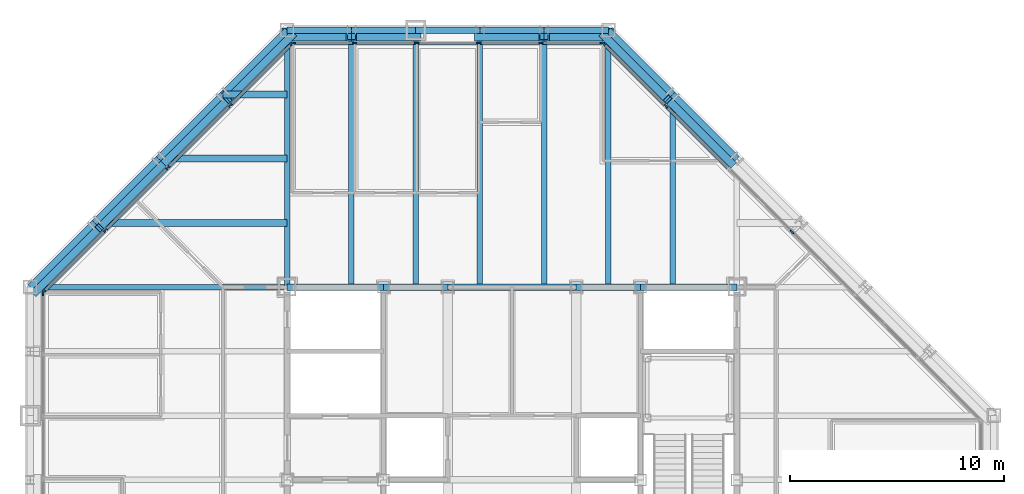
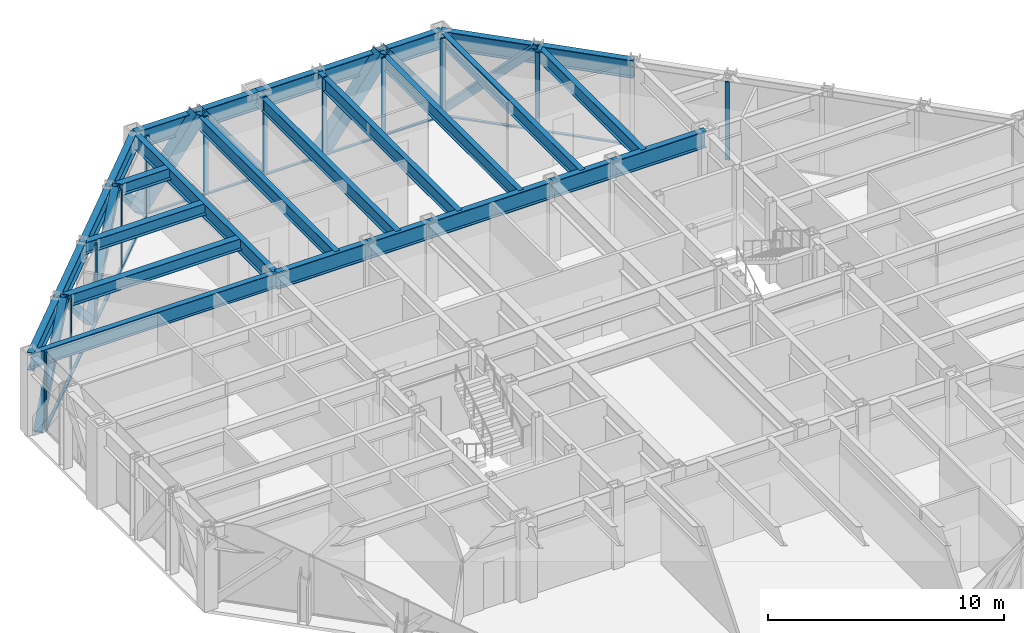
# One storey, part 8 of 16: 36 members, 27 beams, 4 elements without a shape of their own.
"""IFC4 building model written with IfcOpenShell, lengths in metres."""

from ifc_helpers import new_model, si_unit, direction, frame, origin, origin_2d, place, context, subcontext, project, spatial, rectangle, hollow_rectangle, i_section, extrude, material, layer, layer_set, material_profile, profile_set, type_object, element, aggregate, save


model = new_model("IFC4")

# Units and contexts
model_context = context("Model", 3, precision=1e-05, world=origin(), true_north=direction((0.0, 1.0)))
body_context = subcontext(model_context, "Body", "Model", "MODEL_VIEW")
ifc_project = project(units=[si_unit("LENGTHUNIT", "METRE"), si_unit("AREAUNIT", "SQUARE_METRE"), si_unit("VOLUMEUNIT", "CUBIC_METRE"), si_unit("PLANEANGLEUNIT", "RADIAN"), si_unit("MASSUNIT", "GRAM", prefix="KILO")], contexts=[model_context])

# Site, building, storey
site_placement = place(None, origin())
site = spatial("IfcSite", under=ifc_project, at=site_placement, CompositionType="ELEMENT")
building_placement = place(site_placement, origin())
building = spatial("IfcBuilding", under=site, at=building_placement, Name="Chuquiago Exchange Tower", CompositionType="ELEMENT")
storey_placement = place(building_placement, frame((0.0, 0.0, 230.699951171875)))
storey = spatial("IfcBuildingStorey", under=building, at=storey_placement, Name="L51", CompositionType="ELEMENT", Elevation=230.699951171875)

# Beams
ifc_material_1 = material(Name="Steel ASTM A992", Category="steel")
ifc_material_profile_1 = material_profile(ifc_material_1, i_section(OverallWidth=0.25390625, OverallDepth=0.683349609375, WebThickness=0.012451171875, FlangeThickness=0.018798828125, at=origin_2d()), Name="W27X94")
ifc_profile_set_1 = profile_set([ifc_material_profile_1], Name="Steel ASTM A992")
beam_type_1 = type_object("IfcBeamType", Name="B1 W27X94", PredefinedType="BEAM", material=ifc_profile_set_1)
for number, where, z_axis, x_axis, name in (
    (1, (15.0, 33.0, 3.698486328125), (0.0, 1.0, 0.0), (-1.0, 0.0, 0.0), "FB-L52-infill-15_33-15_45-0"),
    (2, (18.0, 33.0, 3.698486328125), (0.0, 1.0, 0.0), (-1.0, 0.0, 0.0), "FB-L52-infill-18_33-18_45-0"),
    (3, (21.0, 33.0, 3.698486328125), (0.0, 1.0, 0.0), (-1.0, 0.0, 0.0), "FB-L52-infill-21_33-21_45-0"),
    (4, (24.0, 33.0, 3.698486328125), (0.0, 1.0, 0.0), (-1.0, 0.0, 0.0), "FB-L52-infill-24_33-24_45-0"),
    (5, (27.0, 33.0, 3.698486328125), (0.0, 1.0, 0.0), (-1.0, 0.0, 0.0), "FB-L52-infill-27_33-27_45-0"),
):
    element("IfcBeam", number, at=place(storey_placement, frame(where, z_axis=z_axis, x_axis=x_axis)), inside=storey, type_object=beam_type_1, Name=name, PredefinedType="BEAM", context=body_context, shape_type="SweptSolid", body=[
        extrude(i_section(OverallWidth=0.25390625, OverallDepth=0.683349609375, WebThickness=0.012451171875, FlangeThickness=0.018798828125, at=origin_2d()), origin(), (0.0, 0.0, 1.0), 12.0),
    ])
beam_1_placement = place(storey_placement, frame((30.0, 33.0, 3.698486328125), z_axis=(0.0, 1.0, 0.0), x_axis=(-1.0, 0.0, 0.0)))
element("IfcBeam", 6, at=beam_1_placement, inside=storey, type_object=beam_type_1, Name="FB-L52-infill-30_33-30_42-0", PredefinedType="BEAM", context=body_context, shape_type="SweptSolid", body=[
    extrude(i_section(OverallWidth=0.25390625, OverallDepth=0.683349609375, WebThickness=0.012451171875, FlangeThickness=0.018798828125, at=origin_2d()), origin(), (0.0, 0.0, 1.0), 9.0),
])
ifc_material_2 = material(Name="Steel ASTM A992", Category="steel")
ifc_material_profile_2 = material_profile(ifc_material_2, i_section(OverallWidth=0.3251953125, OverallDepth=0.612060546875, WebThickness=0.0126953125, FlangeThickness=0.01904296875, at=origin_2d()), Name="W24X104")
ifc_profile_set_2 = profile_set([ifc_material_profile_2], Name="Steel ASTM A992")
beam_type_2 = type_object("IfcBeamType", Name="B2 W24X104", PredefinedType="BEAM", material=ifc_profile_set_2)
beam_2_placement = place(storey_placement, frame((12.0, 36.0, 3.73388671875), z_axis=(-1.0, 0.0, 0.0), x_axis=(0.0, -1.0, 0.0)))
element("IfcBeam", 7, at=beam_2_placement, inside=storey, type_object=beam_type_2, Name="FB-L52-corner-12_36-3_36-0", PredefinedType="BEAM", context=body_context, shape_type="SweptSolid", body=[
    extrude(i_section(OverallWidth=0.3251953125, OverallDepth=0.612060546875, WebThickness=0.0126953125, FlangeThickness=0.01904296875, at=origin_2d()), origin(), (0.0, 0.0, 1.0), 9.0),
])
beam_3_placement = place(storey_placement, frame((12.0, 39.0, 3.73388671875), z_axis=(-1.0, 0.0, 0.0), x_axis=(0.0, -1.0, 0.0)))
element("IfcBeam", 8, at=beam_3_placement, inside=storey, type_object=beam_type_2, Name="FB-L52-corner-12_39-6_39-0", PredefinedType="BEAM", context=body_context, shape_type="SweptSolid", body=[
    extrude(i_section(OverallWidth=0.3251953125, OverallDepth=0.612060546875, WebThickness=0.0126953125, FlangeThickness=0.01904296875, at=origin_2d()), origin(), (0.0, 0.0, 1.0), 6.0),
])
beam_4_placement = place(storey_placement, frame((12.0, 42.0, 3.73388671875), z_axis=(-1.0, 0.0, 0.0), x_axis=(0.0, -1.0, 0.0)))
element("IfcBeam", 9, at=beam_4_placement, inside=storey, type_object=beam_type_2, Name="FB-L52-corner-12_42-9_42-0", PredefinedType="BEAM", context=body_context, shape_type="SweptSolid", body=[
    extrude(i_section(OverallWidth=0.3251953125, OverallDepth=0.612060546875, WebThickness=0.0126953125, FlangeThickness=0.01904296875, at=origin_2d()), origin(), (0.0, 0.0, 1.0), 3.0),
])
ifc_material_3 = material(Name="Steel ASTM A992", Category="steel")
ifc_material_profile_3 = material_profile(ifc_material_3, i_section(OverallWidth=0.2919921875, OverallDepth=0.8583984375, WebThickness=0.01708984375, FlangeThickness=0.031005859375, at=origin_2d()), Name="W33X169")
ifc_profile_set_3 = profile_set([ifc_material_profile_3], Name="Steel ASTM A992")
beam_type_3 = type_object("IfcBeamType", Name="B3 W33X169", PredefinedType="BEAM", material=ifc_profile_set_3)
beam_5_placement = place(storey_placement, frame((12.0, 33.0, 3.61083984375), z_axis=(1.0, 0.0, 0.0), x_axis=(0.0, 1.0, 0.0)))
element("IfcBeam", 10, at=beam_5_placement, inside=storey, type_object=beam_type_3, Name="CB-L52-12_33-16.5_33", PredefinedType="BEAM", context=body_context, shape_type="SweptSolid", body=[
    extrude(i_section(OverallWidth=0.2919921875, OverallDepth=0.8583984375, WebThickness=0.01708984375, FlangeThickness=0.031005859375, at=origin_2d()), origin(), (0.0, 0.0, 1.0), 4.5),
])
beam_6_placement = place(storey_placement, frame((16.5, 33.0, 3.61083984375), z_axis=(1.0, 0.0, 0.0), x_axis=(0.0, 1.0, 0.0)))
element("IfcBeam", 11, at=beam_6_placement, inside=storey, type_object=beam_type_3, Name="CB-L52-16.5_33-19.5_33", PredefinedType="BEAM", context=body_context, shape_type="SweptSolid", body=[
    extrude(i_section(OverallWidth=0.2919921875, OverallDepth=0.8583984375, WebThickness=0.01708984375, FlangeThickness=0.031005859375, at=origin_2d()), origin(), (0.0, 0.0, 1.0), 3.0),
])
beam_7_placement = place(storey_placement, frame((19.5, 33.0, 3.61083984375), z_axis=(1.0, 0.0, 0.0), x_axis=(0.0, 1.0, 0.0)))
element("IfcBeam", 12, at=beam_7_placement, inside=storey, type_object=beam_type_3, Name="CB-L52-19.5_33-25.5_33", PredefinedType="BEAM", context=body_context, shape_type="SweptSolid", body=[
    extrude(i_section(OverallWidth=0.2919921875, OverallDepth=0.8583984375, WebThickness=0.01708984375, FlangeThickness=0.031005859375, at=origin_2d()), origin(), (0.0, 0.0, 1.0), 6.0),
])
beam_8_placement = place(storey_placement, frame((25.5, 33.0, 3.61083984375), z_axis=(1.0, 0.0, 0.0), x_axis=(0.0, 1.0, 0.0)))
element("IfcBeam", 13, at=beam_8_placement, inside=storey, type_object=beam_type_3, Name="CB-L52-25.5_33-28.5_33", PredefinedType="BEAM", context=body_context, shape_type="SweptSolid", body=[
    extrude(i_section(OverallWidth=0.2919921875, OverallDepth=0.8583984375, WebThickness=0.01708984375, FlangeThickness=0.031005859375, at=origin_2d()), origin(), (0.0, 0.0, 1.0), 3.0),
])
beam_9_placement = place(storey_placement, frame((28.5, 33.0, 3.61083984375), z_axis=(1.0, 0.0, 0.0), x_axis=(0.0, 1.0, 0.0)))
element("IfcBeam", 14, at=beam_9_placement, inside=storey, type_object=beam_type_3, Name="CB-L52-28.5_33-33_33", PredefinedType="BEAM", context=body_context, shape_type="SweptSolid", body=[
    extrude(i_section(OverallWidth=0.2919921875, OverallDepth=0.8583984375, WebThickness=0.01708984375, FlangeThickness=0.031005859375, at=origin_2d()), origin(), (0.0, 0.0, 1.0), 4.5),
])

# Curtain wall, members
ifc_material_4 = material(Name="Aluminium curtain wall system", Category="aluminium")
ifc_layer_1 = layer(ifc_material_4, 0.22509765625)
ifc_layer_set_1 = layer_set([ifc_layer_1], Name="CW2 office curtain wall")
curtain_wall_type_1 = type_object("IfcCurtainWallType", Name="CW2 office curtain wall", PredefinedType="NOTDEFINED", material=ifc_layer_set_1)
curtain_wall_1_placement = place(storey_placement, origin())
curtain_wall_1 = element("IfcCurtainWall", 15, at=curtain_wall_1_placement, inside=storey, type_object=curtain_wall_type_1, Name="CW2 curtain wall L51", PredefinedType="NOTDEFINED")
ifc_material_5 = material(Name="Aluminium mullion, pale anodised", Category="aluminium")
ifc_material_profile_4 = material_profile(ifc_material_5, rectangle(XDim=0.06494140625, YDim=0.22509765625, at=origin_2d()), Name="AL 65x225")
ifc_profile_set_4 = profile_set([ifc_material_profile_4], Name="Aluminium mullion, pale anodised")
member_type_1 = type_object("IfcMemberType", Name="CW2-M mullion 65x225", PredefinedType="MULLION", material=ifc_profile_set_4)
member_1_placement = place(storey_placement, frame((26.718994140625, 44.39990234375, 0.0), z_axis=(0.0, 0.0, 1.0), x_axis=(0.0, -1.0, 0.0)))
member_1 = element("IfcMember", 16, at=member_1_placement, type_object=member_type_1, Name="CW2 mullion 1", PredefinedType="MULLION", context=body_context, shape_type="SweptSolid", body=[
    extrude(rectangle(XDim=0.06494140625, YDim=0.22509765625, at=origin_2d()), origin(), (0.0, 0.0, 1.0), 4.0400390625),
])
member_2_placement = place(storey_placement, frame((23.850830078125, 44.39990234375, 0.0), z_axis=(0.0, 0.0, 1.0), x_axis=(0.0, -1.0, 0.0)))
member_2 = element("IfcMember", 17, at=member_2_placement, type_object=member_type_1, Name="CW2 mullion 2", PredefinedType="MULLION", context=body_context, shape_type="SweptSolid", body=[
    extrude(rectangle(XDim=0.06494140625, YDim=0.22509765625, at=origin_2d()), origin(), (0.0, 0.0, 1.0), 4.0400390625),
])
member_3_placement = place(storey_placement, frame((20.9501953125, 44.39990234375, 0.0), z_axis=(0.0, 0.0, 1.0), x_axis=(0.0, -1.0, 0.0)))
member_3 = element("IfcMember", 18, at=member_3_placement, type_object=member_type_1, Name="CW2 mullion 3", PredefinedType="MULLION", context=body_context, shape_type="SweptSolid", body=[
    extrude(rectangle(XDim=0.06494140625, YDim=0.22509765625, at=origin_2d()), origin(), (0.0, 0.0, 1.0), 4.0400390625),
])
member_4_placement = place(storey_placement, frame((18.0498046875, 44.39990234375, 0.0), z_axis=(0.0, 0.0, 1.0), x_axis=(0.0, -1.0, 0.0)))
member_4 = element("IfcMember", 19, at=member_4_placement, type_object=member_type_1, Name="CW2 mullion 4", PredefinedType="MULLION", context=body_context, shape_type="SweptSolid", body=[
    extrude(rectangle(XDim=0.06494140625, YDim=0.22509765625, at=origin_2d()), origin(), (0.0, 0.0, 1.0), 4.0400390625),
])
member_5_placement = place(storey_placement, frame((15.149169921875, 44.39990234375, 0.0), z_axis=(0.0, 0.0, 1.0), x_axis=(0.0, -1.0, 0.0)))
member_5 = element("IfcMember", 20, at=member_5_placement, type_object=member_type_1, Name="CW2 mullion 5", PredefinedType="MULLION", context=body_context, shape_type="SweptSolid", body=[
    extrude(rectangle(XDim=0.06494140625, YDim=0.22509765625, at=origin_2d()), origin(), (0.0, 0.0, 1.0), 4.0400390625),
])
member_6_placement = place(storey_placement, frame((12.281005859375, 44.39990234375, 0.0), z_axis=(0.0, 0.0, 1.0), x_axis=(0.0, -1.0, 0.0)))
member_6 = element("IfcMember", 21, at=member_6_placement, type_object=member_type_1, Name="CW2 mullion 6", PredefinedType="MULLION", context=body_context, shape_type="SweptSolid", body=[
    extrude(rectangle(XDim=0.06494140625, YDim=0.22509765625, at=origin_2d()), origin(), (0.0, 0.0, 1.0), 4.0400390625),
])

# Curtain wall, member
curtain_wall_2_placement = place(storey_placement, origin())
curtain_wall_2 = element("IfcCurtainWall", 22, at=curtain_wall_2_placement, inside=storey, type_object=curtain_wall_type_1, Name="CW2 curtain wall L51", PredefinedType="NOTDEFINED")
member_7_placement = place(storey_placement, frame((0.60009765625, 32.718994140625, 0.0), z_axis=(0.0, 0.0, 1.0), x_axis=(1.0, 0.0, 0.0)))
member_7 = element("IfcMember", 23, at=member_7_placement, type_object=member_type_1, Name="CW2 mullion 1", PredefinedType="MULLION", context=body_context, shape_type="SweptSolid", body=[
    extrude(rectangle(XDim=0.06494140625, YDim=0.22509765625, at=origin_2d()), origin(), (0.0, 0.0, 1.0), 4.0400390625),
])
aggregate(curtain_wall_2, [member_7])

# Member
ifc_material_6 = material(Name="Aluminium transom, pale anodised", Category="aluminium")
ifc_material_profile_5 = material_profile(ifc_material_6, rectangle(XDim=0.139892578125, YDim=0.06494140625, at=origin_2d()), Name="AL 140x65")
ifc_profile_set_5 = profile_set([ifc_material_profile_5], Name="Aluminium transom, pale anodised")
member_type_2 = type_object("IfcMemberType", Name="CW2-T transom 65x140", PredefinedType="MULLION", material=ifc_profile_set_5)
member_8_placement = place(storey_placement, frame((26.6865234375, 44.39990234375, 0.032470703125), z_axis=(-1.0, 0.0, 0.0), x_axis=(0.0, -1.0, 0.0)))
member_8 = element("IfcMember", 24, at=member_8_placement, type_object=member_type_2, Name="CW2 transom 1.1", PredefinedType="MULLION", context=body_context, shape_type="SweptSolid", body=[
    extrude(rectangle(XDim=0.139892578125, YDim=0.06494140625, at=origin_2d()), origin(), (0.0, 0.0, 1.0), 2.80322265625),
])

member_9_placement = place(storey_placement, frame((23.818359375, 44.39990234375, 0.032470703125), z_axis=(-1.0, 0.0, 0.0), x_axis=(0.0, -1.0, 0.0)))
member_9 = element("IfcMember", 25, at=member_9_placement, type_object=member_type_2, Name="CW2 transom 2.1", PredefinedType="MULLION", context=body_context, shape_type="SweptSolid", body=[
    extrude(rectangle(XDim=0.139892578125, YDim=0.06494140625, at=origin_2d()), origin(), (0.0, 0.0, 1.0), 2.83544921875),
])

member_10_placement = place(storey_placement, frame((20.917724609375, 44.39990234375, 0.032470703125), z_axis=(-1.0, 0.0, 0.0), x_axis=(0.0, -1.0, 0.0)))
member_10 = element("IfcMember", 26, at=member_10_placement, type_object=member_type_2, Name="CW2 transom 3.1", PredefinedType="MULLION", context=body_context, shape_type="SweptSolid", body=[
    extrude(rectangle(XDim=0.139892578125, YDim=0.06494140625, at=origin_2d()), origin(), (0.0, 0.0, 1.0), 2.83544921875),
])

member_11_placement = place(storey_placement, frame((18.01708984375, 44.39990234375, 0.032470703125), z_axis=(-1.0, 0.0, 0.0), x_axis=(0.0, -1.0, 0.0)))
member_11 = element("IfcMember", 27, at=member_11_placement, type_object=member_type_2, Name="CW2 transom 4.1", PredefinedType="MULLION", context=body_context, shape_type="SweptSolid", body=[
    extrude(rectangle(XDim=0.139892578125, YDim=0.06494140625, at=origin_2d()), origin(), (0.0, 0.0, 1.0), 2.83544921875),
])

member_12_placement = place(storey_placement, frame((15.11669921875, 44.39990234375, 0.032470703125), z_axis=(-1.0, 0.0, 0.0), x_axis=(0.0, -1.0, 0.0)))
member_12 = element("IfcMember", 28, at=member_12_placement, type_object=member_type_2, Name="CW2 transom 5.1", PredefinedType="MULLION", context=body_context, shape_type="SweptSolid", body=[
    extrude(rectangle(XDim=0.139892578125, YDim=0.06494140625, at=origin_2d()), origin(), (0.0, 0.0, 1.0), 2.80322265625),
])

aggregate(curtain_wall_1, [member_1, member_2, member_3, member_4, member_5, member_6, member_8, member_9, member_10, member_11, member_12])

# Curtain wall, members
ifc_material_7 = material(Name="Aluminium curtain wall system", Category="aluminium")
ifc_layer_2 = layer(ifc_material_7, 0.199951171875)
ifc_layer_set_2 = layer_set([ifc_layer_2], Name="CW3 facet curtain wall")
curtain_wall_type_2 = type_object("IfcCurtainWallType", Name="CW3 facet curtain wall", PredefinedType="NOTDEFINED", material=ifc_layer_set_2)
curtain_wall_3_placement = place(storey_placement, origin())
curtain_wall_3 = element("IfcCurtainWall", 29, at=curtain_wall_3_placement, inside=storey, type_object=curtain_wall_type_2, Name="CW3 curtain wall L51", PredefinedType="NOTDEFINED")
ifc_material_8 = material(Name="Aluminium mullion, pale anodised", Category="aluminium")
ifc_material_profile_6 = material_profile(ifc_material_8, rectangle(XDim=0.06494140625, YDim=0.199951171875, at=origin_2d()), Name="AL 65x200")
ifc_profile_set_6 = profile_set([ifc_material_profile_6], Name="Aluminium mullion, pale anodised")
member_type_3 = type_object("IfcMemberType", Name="CW3-M mullion 65x200", PredefinedType="MULLION", material=ifc_profile_set_6)
member_13_placement = place(storey_placement, frame((35.57568359375, 35.57568359375, 0.0), z_axis=(0.0, 0.0, 1.0), x_axis=(-0.707106781187, -0.707106781187, 0.0)))
member_13 = element("IfcMember", 30, at=member_13_placement, type_object=member_type_3, Name="CW3 mullion 4", PredefinedType="MULLION", context=body_context, shape_type="SweptSolid", body=[
    extrude(rectangle(XDim=0.06494140625, YDim=0.199951171875, at=origin_2d()), origin(), (0.0, 0.0, 1.0), 4.0400390625),
])
member_14_placement = place(storey_placement, frame((29.69287109375, 41.45849609375, 0.0), z_axis=(0.0, 0.0, 1.0), x_axis=(-0.707106781187, -0.707106781187, 0.0)))
member_14 = element("IfcMember", 31, at=member_14_placement, type_object=member_type_3, Name="CW3 mullion 6", PredefinedType="MULLION", context=body_context, shape_type="SweptSolid", body=[
    extrude(rectangle(XDim=0.06494140625, YDim=0.199951171875, at=origin_2d()), origin(), (0.0, 0.0, 1.0), 4.0400390625),
])
member_15_placement = place(storey_placement, frame((26.7744140625, 44.376953125, 0.0), z_axis=(0.0, 0.0, 1.0), x_axis=(-0.707106781187, -0.707106781187, 0.0)))
member_15 = element("IfcMember", 32, at=member_15_placement, type_object=member_type_3, Name="CW3 mullion 7", PredefinedType="MULLION", context=body_context, shape_type="SweptSolid", body=[
    extrude(rectangle(XDim=0.06494140625, YDim=0.199951171875, at=origin_2d()), origin(), (0.0, 0.0, 1.0), 4.0400390625),
])

curtain_wall_4_placement = place(storey_placement, origin())
curtain_wall_4 = element("IfcCurtainWall", 33, at=curtain_wall_4_placement, inside=storey, type_object=curtain_wall_type_2, Name="CW3 curtain wall L51", PredefinedType="NOTDEFINED")
member_16_placement = place(storey_placement, frame((12.2255859375, 44.376953125, 0.0), z_axis=(0.0, 0.0, 1.0), x_axis=(0.707106781187, -0.707106781187, 0.0)))
member_16 = element("IfcMember", 34, at=member_16_placement, type_object=member_type_3, Name="CW3 mullion 1", PredefinedType="MULLION", context=body_context, shape_type="SweptSolid", body=[
    extrude(rectangle(XDim=0.06494140625, YDim=0.199951171875, at=origin_2d()), origin(), (0.0, 0.0, 1.0), 4.0400390625),
])
member_17_placement = place(storey_placement, frame((9.33642578125, 41.48779296875, 0.0), z_axis=(0.0, 0.0, 1.0), x_axis=(0.707106781187, -0.707106781187, 0.0)))
member_17 = element("IfcMember", 35, at=member_17_placement, type_object=member_type_3, Name="CW3 mullion 2", PredefinedType="MULLION", context=body_context, shape_type="SweptSolid", body=[
    extrude(rectangle(XDim=0.06494140625, YDim=0.199951171875, at=origin_2d()), origin(), (0.0, 0.0, 1.0), 4.0400390625),
])
member_18_placement = place(storey_placement, frame((6.42431640625, 38.57568359375, 0.0), z_axis=(0.0, 0.0, 1.0), x_axis=(0.707106781187, -0.707106781187, 0.0)))
member_18 = element("IfcMember", 36, at=member_18_placement, type_object=member_type_3, Name="CW3 mullion 3", PredefinedType="MULLION", context=body_context, shape_type="SweptSolid", body=[
    extrude(rectangle(XDim=0.06494140625, YDim=0.199951171875, at=origin_2d()), origin(), (0.0, 0.0, 1.0), 4.0400390625),
])
member_19_placement = place(storey_placement, frame((3.51220703125, 35.66357421875, 0.0), z_axis=(0.0, 0.0, 1.0), x_axis=(0.707106781187, -0.707106781187, 0.0)))
member_19 = element("IfcMember", 37, at=member_19_placement, type_object=member_type_3, Name="CW3 mullion 4", PredefinedType="MULLION", context=body_context, shape_type="SweptSolid", body=[
    extrude(rectangle(XDim=0.06494140625, YDim=0.199951171875, at=origin_2d()), origin(), (0.0, 0.0, 1.0), 4.0400390625),
])
member_20_placement = place(storey_placement, frame((0.623046875, 32.7744140625, 0.0), z_axis=(0.0, 0.0, 1.0), x_axis=(0.707106781187, -0.707106781187, 0.0)))
member_20 = element("IfcMember", 38, at=member_20_placement, type_object=member_type_3, Name="CW3 mullion 5", PredefinedType="MULLION", context=body_context, shape_type="SweptSolid", body=[
    extrude(rectangle(XDim=0.06494140625, YDim=0.199951171875, at=origin_2d()), origin(), (0.0, 0.0, 1.0), 4.0400390625),
])

# Member
ifc_material_9 = material(Name="Aluminium transom, pale anodised", Category="aluminium")
ifc_material_profile_7 = material_profile(ifc_material_9, rectangle(XDim=0.139892578125, YDim=0.06494140625, at=origin_2d()), Name="AL 140x65")
ifc_profile_set_7 = profile_set([ifc_material_profile_7], Name="Aluminium transom, pale anodised")
member_type_4 = type_object("IfcMemberType", Name="CW3-T transom 65x140", PredefinedType="MULLION", material=ifc_profile_set_7)
member_21_placement = place(storey_placement, frame((32.611328125, 38.5400390625, 0.032470703125), z_axis=(-0.707106781187, 0.707106781187, 0.0), x_axis=(-0.707106781187, -0.707106781187, 0.0)))
member_21 = element("IfcMember", 39, at=member_21_placement, type_object=member_type_4, Name="CW3 transom 5.1", PredefinedType="MULLION", context=body_context, shape_type="SweptSolid", body=[
    extrude(rectangle(XDim=0.139892578125, YDim=0.06494140625, at=origin_2d()), origin(), (0.0, 0.0, 1.0), 4.094970703125),
])

member_22_placement = place(storey_placement, frame((29.669921875, 41.4814453125, 0.032470703125), z_axis=(-0.707106781187, 0.707106781187, 0.0), x_axis=(-0.707106781187, -0.707106781187, 0.0)))
member_22 = element("IfcMember", 40, at=member_22_placement, type_object=member_type_4, Name="CW3 transom 6.1", PredefinedType="MULLION", context=body_context, shape_type="SweptSolid", body=[
    extrude(rectangle(XDim=0.139892578125, YDim=0.06494140625, at=origin_2d()), origin(), (0.0, 0.0, 1.0), 4.0625),
])

aggregate(curtain_wall_3, [member_13, member_14, member_15, member_21, member_22])

member_23_placement = place(storey_placement, frame((12.20263671875, 44.35400390625, 0.032470703125), z_axis=(-0.707106781187, -0.707106781187, 0.0), x_axis=(0.707106781187, -0.707106781187, 0.0)))
member_23 = element("IfcMember", 41, at=member_23_placement, type_object=member_type_4, Name="CW3 transom 1.1", PredefinedType="MULLION", context=body_context, shape_type="SweptSolid", body=[
    extrude(rectangle(XDim=0.139892578125, YDim=0.06494140625, at=origin_2d()), origin(), (0.0, 0.0, 1.0), 4.02099609375),
])

member_24_placement = place(storey_placement, frame((9.3134765625, 41.46484375, 0.032470703125), z_axis=(-0.707106781187, -0.707106781187, 0.0), x_axis=(0.707106781187, -0.707106781187, 0.0)))
member_24 = element("IfcMember", 42, at=member_24_placement, type_object=member_type_4, Name="CW3 transom 2.1", PredefinedType="MULLION", context=body_context, shape_type="SweptSolid", body=[
    extrude(rectangle(XDim=0.139892578125, YDim=0.06494140625, at=origin_2d()), origin(), (0.0, 0.0, 1.0), 4.053466796875),
])

member_25_placement = place(storey_placement, frame((6.4013671875, 38.552734375, 0.032470703125), z_axis=(-0.707106781187, -0.707106781187, 0.0), x_axis=(0.707106781187, -0.707106781187, 0.0)))
member_25 = element("IfcMember", 43, at=member_25_placement, type_object=member_type_4, Name="CW3 transom 3.1", PredefinedType="MULLION", context=body_context, shape_type="SweptSolid", body=[
    extrude(rectangle(XDim=0.139892578125, YDim=0.06494140625, at=origin_2d()), origin(), (0.0, 0.0, 1.0), 4.053466796875),
])

member_26_placement = place(storey_placement, frame((3.4892578125, 35.640625, 0.032470703125), z_axis=(-0.707106781187, -0.707106781187, 0.0), x_axis=(0.707106781187, -0.707106781187, 0.0)))
member_26 = element("IfcMember", 44, at=member_26_placement, type_object=member_type_4, Name="CW3 transom 4.1", PredefinedType="MULLION", context=body_context, shape_type="SweptSolid", body=[
    extrude(rectangle(XDim=0.139892578125, YDim=0.06494140625, at=origin_2d()), origin(), (0.0, 0.0, 1.0), 4.02099609375),
])

aggregate(curtain_wall_4, [member_16, member_17, member_18, member_19, member_20, member_23, member_24, member_25, member_26])

# Beams
ifc_material_10 = material(Name="Steel ASTM A992", Category="steel")
ifc_material_profile_8 = material_profile(ifc_material_10, i_section(OverallWidth=0.2666015625, OverallDepth=0.76953125, WebThickness=0.015625, FlangeThickness=0.025390625, at=origin_2d()), Name="W30X132")
ifc_profile_set_8 = profile_set([ifc_material_profile_8], Name="Steel ASTM A992")
beam_type_4 = type_object("IfcBeamType", Name="G1 W30X132", PredefinedType="BEAM", material=ifc_profile_set_8)
for number, where, z_axis, x_axis, name in (
    (45, (12.0, 33.0, 3.6552734375), (0.0, 1.0, 0.0), (-1.0, 0.0, 0.0), "FB-L52-girder-12_33-12_45-0"),
    (46, (12.0, 33.0, 3.6552734375), (-1.0, 0.0, 0.0), (0.0, -1.0, 0.0), "FB-L52-girder-12_33--0_33-0"),
):
    element("IfcBeam", number, at=place(storey_placement, frame(where, z_axis=z_axis, x_axis=x_axis)), inside=storey, type_object=beam_type_4, Name=name, PredefinedType="BEAM", context=body_context, shape_type="SweptSolid", body=[
        extrude(i_section(OverallWidth=0.2666015625, OverallDepth=0.76953125, WebThickness=0.015625, FlangeThickness=0.025390625, at=origin_2d()), origin(), (0.0, 0.0, 1.0), 12.0),
    ])

# Members
ifc_material_11 = material(Name="Steel ASTM A500 Grade C", Category="steel")
ifc_material_profile_9 = material_profile(ifc_material_11, hollow_rectangle(XDim=0.355712890625, YDim=0.355712890625, WallThickness=0.0146484375, at=origin_2d()), Name="HSS14X14X5/8")
ifc_profile_set_9 = profile_set([ifc_material_profile_9], Name="Steel ASTM A500 Grade C")
member_type_5 = type_object("IfcMemberType", Name="LB2 HSS14X14X5/8", PredefinedType="BRACE", material=ifc_profile_set_9)
for number, where, z_axis, x_axis, name in (
    (47, (32.7685546875, 38.7685546875, 0.0), (-0.512077265487, 0.512077265487, 0.689604051861), (-0.707106781187, -0.707106781187, 0.0), "LB-L51-33_39-30_42"),
    (48, (26.7685546875, 44.7685546875, 0.0), (0.512077265487, -0.512077265487, 0.689604051861), (0.707106781187, 0.707106781187, 0.0), "LB-L51-30_42-27_45"),
    (49, (12.2314453125, 44.7685546875, 0.0), (-0.512077265487, -0.512077265487, 0.689604051861), (0.707106781187, -0.707106781187, 0.0), "LB-L51-12_45-9_42"),
    (50, (6.2314453125, 38.7685546875, 0.0), (0.512077265487, 0.512077265487, 0.689604051861), (-0.707106781187, 0.707106781187, 0.0), "LB-L51-9_42-6_39"),
    (51, (6.2314453125, 38.7685546875, 0.0), (-0.512077265487, -0.512077265487, 0.689604051861), (0.707106781187, -0.707106781187, 0.0), "LB-L51-6_39-3_36"),
    (52, (0.2314453125, 32.7685546875, 0.0), (0.512077265487, 0.512077265487, 0.689604051861), (-0.707106781187, 0.707106781187, 0.0), "LB-L51-3_36-0_33"),
):
    element("IfcMember", number, at=place(storey_placement, frame(where, z_axis=z_axis, x_axis=x_axis)), inside=storey, type_object=member_type_5, Name=name, PredefinedType="BRACE", context=body_context, shape_type="SweptSolid", body=[
        extrude(hollow_rectangle(XDim=0.355712890625, YDim=0.355712890625, WallThickness=0.0146484375, at=origin_2d()), origin(), (0.0, 0.0, 1.0), 5.8583984375),
    ])
ifc_material_12 = material(Name="Steel ASTM A572 Grade 50", Category="steel")
ifc_material_profile_10 = material_profile(ifc_material_12, hollow_rectangle(XDim=0.60009765625, YDim=0.60009765625, WallThickness=0.06005859375, at=origin_2d()), Name="BOX600X600X60")
ifc_profile_set_10 = profile_set([ifc_material_profile_10], Name="Steel ASTM A572 Grade 50")
member_type_6 = type_object("IfcMemberType", Name="MB3 BOX600X600X60", PredefinedType="BRACE", material=ifc_profile_set_10)
for number, where, z_axis, x_axis, name in (
    (53, (27.0, 44.794921875, 0.0), (-0.596173923302, 0.0, 0.802855312728), (0.0, -1.0, 0.0), "Mega diagonal L51 N face"),
    (54, (21.0, 44.794921875, 0.0), (0.596173923302, 0.0, 0.802855312728), (0.0, 1.0, 0.0), "Mega diagonal L51 N face"),
    (55, (18.0, 44.794921875, 0.0), (-0.596173923302, 0.0, 0.802855312728), (0.0, -1.0, 0.0), "Mega diagonal L51 N face"),
    (56, (12.0, 44.794921875, 0.0), (0.596173923302, 0.0, 0.802855312728), (0.0, 1.0, 0.0), "Mega diagonal L51 N face"),
):
    element("IfcMember", number, at=place(storey_placement, frame(where, z_axis=z_axis, x_axis=x_axis)), inside=storey, type_object=member_type_6, Name=name, PredefinedType="BRACE", context=body_context, shape_type="SweptSolid", body=[
        extrude(hollow_rectangle(XDim=0.60009765625, YDim=0.60009765625, WallThickness=0.06005859375, at=origin_2d()), origin(), (0.0, 0.0, 1.0), 5.031982421875),
    ])

# Beams
ifc_material_13 = material(Name="Steel ASTM A992", Category="steel")
ifc_material_profile_11 = material_profile(ifc_material_13, i_section(OverallWidth=0.307373046875, OverallDepth=0.927001953125, WebThickness=0.01953125, FlangeThickness=0.031982421875, at=origin_2d()), Name="W36X194")
ifc_profile_set_11 = profile_set([ifc_material_profile_11], Name="Steel ASTM A992")
beam_type_5 = type_object("IfcBeamType", Name="SP3 W36X194", PredefinedType="SPANDREL", material=ifc_profile_set_11)
for number, where, z_axis, x_axis, name in (
    (57, (33.0, 39.0, 3.57666015625), (-0.707106781187, 0.707106781187, 0.0), (-0.707106781187, -0.707106781187, 0.0), "SPB-L52-33_39-30_42"),
    (58, (30.0, 42.0, 3.57666015625), (-0.707106781187, 0.707106781187, 0.0), (-0.707106781187, -0.707106781187, 0.0), "SPB-L52-30_42-27_45"),
):
    element("IfcBeam", number, at=place(storey_placement, frame(where, z_axis=z_axis, x_axis=x_axis)), inside=storey, type_object=beam_type_5, Name=name, PredefinedType="SPANDREL", context=body_context, shape_type="SweptSolid", body=[
        extrude(i_section(OverallWidth=0.307373046875, OverallDepth=0.927001953125, WebThickness=0.01953125, FlangeThickness=0.031982421875, at=origin_2d()), origin(), (0.0, 0.0, 1.0), 4.24267578125),
    ])
for number, where, z_axis, x_axis, name in (
    (59, (27.0, 45.0, 3.57666015625), (-1.0, 0.0, 0.0), (0.0, -1.0, 0.0), "SPB-L52-27_45-24_45"),
    (60, (24.0, 45.0, 3.57666015625), (-1.0, 0.0, 0.0), (0.0, -1.0, 0.0), "SPB-L52-24_45-21_45"),
    (61, (21.0, 45.0, 3.57666015625), (-1.0, 0.0, 0.0), (0.0, -1.0, 0.0), "SPB-L52-21_45-18_45"),
    (62, (18.0, 45.0, 3.57666015625), (-1.0, 0.0, 0.0), (0.0, -1.0, 0.0), "SPB-L52-18_45-15_45"),
    (63, (15.0, 45.0, 3.57666015625), (-1.0, 0.0, 0.0), (0.0, -1.0, 0.0), "SPB-L52-15_45-12_45"),
):
    element("IfcBeam", number, at=place(storey_placement, frame(where, z_axis=z_axis, x_axis=x_axis)), inside=storey, type_object=beam_type_5, Name=name, PredefinedType="SPANDREL", context=body_context, shape_type="SweptSolid", body=[
        extrude(i_section(OverallWidth=0.307373046875, OverallDepth=0.927001953125, WebThickness=0.01953125, FlangeThickness=0.031982421875, at=origin_2d()), origin(), (0.0, 0.0, 1.0), 3.0),
    ])
for number, where, z_axis, x_axis, name in (
    (64, (12.0, 45.0, 3.57666015625), (-0.707106781187, -0.707106781187, 0.0), (0.707106781187, -0.707106781187, 0.0), "SPB-L52-12_45-9_42"),
    (65, (9.0, 42.0, 3.57666015625), (-0.707106781187, -0.707106781187, 0.0), (0.707106781187, -0.707106781187, 0.0), "SPB-L52-9_42-6_39"),
    (66, (6.0, 39.0, 3.57666015625), (-0.707106781187, -0.707106781187, 0.0), (0.707106781187, -0.707106781187, 0.0), "SPB-L52-6_39-3_36"),
    (67, (3.0, 36.0, 3.57666015625), (-0.707106781187, -0.707106781187, 0.0), (0.707106781187, -0.707106781187, 0.0), "SPB-L52-3_36-0_33"),
):
    element("IfcBeam", number, at=place(storey_placement, frame(where, z_axis=z_axis, x_axis=x_axis)), inside=storey, type_object=beam_type_5, Name=name, PredefinedType="SPANDREL", context=body_context, shape_type="SweptSolid", body=[
        extrude(i_section(OverallWidth=0.307373046875, OverallDepth=0.927001953125, WebThickness=0.01953125, FlangeThickness=0.031982421875, at=origin_2d()), origin(), (0.0, 0.0, 1.0), 4.24267578125),
    ])

save(model, "model.ifc")
